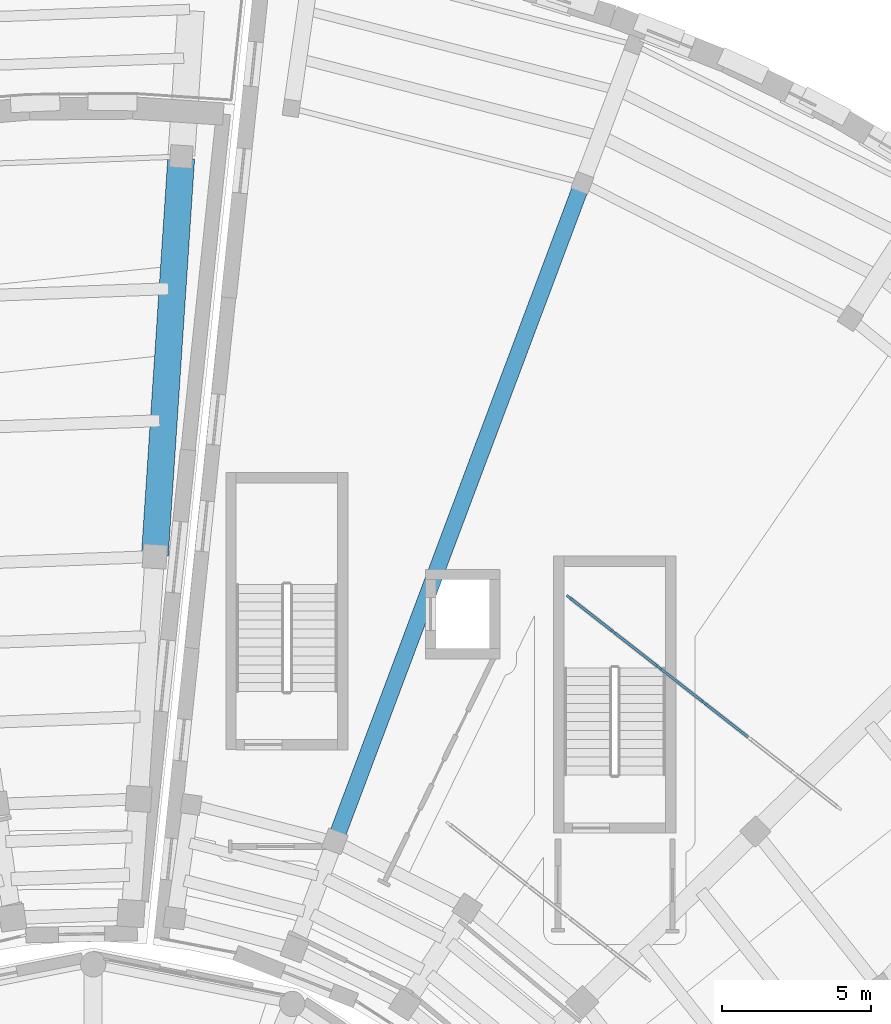
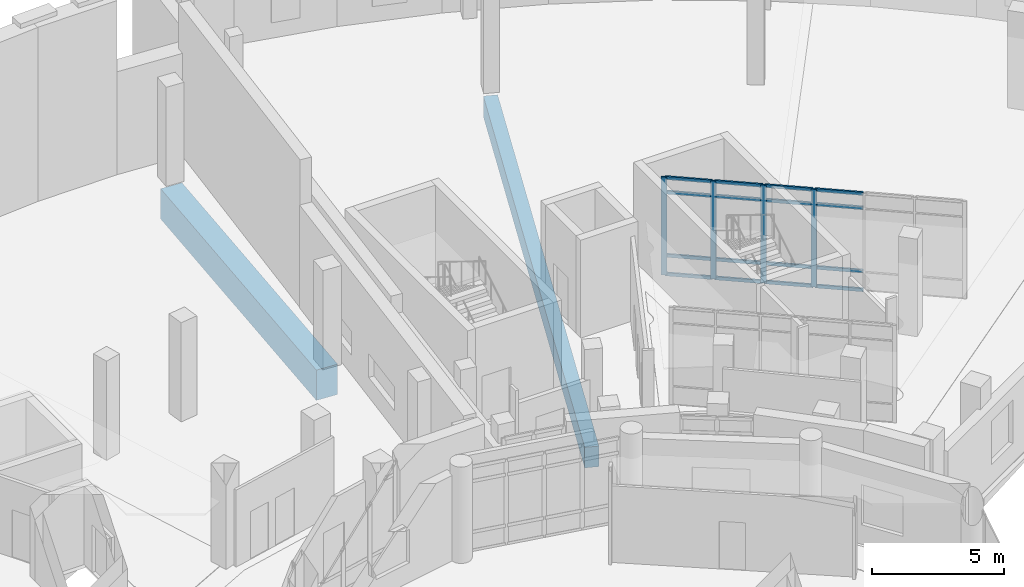
# One storey, part 18 of 49: 20 members, 2 beams, 1 element without a shape of its own.
"""IFC4 building model written with IfcOpenShell, lengths in metres."""

from ifc_helpers import new_model, si_unit, direction, frame, origin, origin_2d, place, context, subcontext, project, spatial, rectangle, extrude, material, material_profile, profile_set, type_object, element, aggregate, save


model = new_model("IFC4")

# Units and contexts
model_context = context("Model", 3, precision=1e-05, world=origin(), true_north=direction((0.0, 1.0)))
body_context = subcontext(model_context, "Body", "Model", "MODEL_VIEW")
ifc_project = project(units=[si_unit("LENGTHUNIT", "METRE"), si_unit("AREAUNIT", "SQUARE_METRE"), si_unit("VOLUMEUNIT", "CUBIC_METRE"), si_unit("PLANEANGLEUNIT", "RADIAN"), si_unit("MASSUNIT", "GRAM", prefix="KILO")], contexts=[model_context])

# Site, building, storey
site_placement = place(None, origin())
site = spatial("IfcSite", under=ifc_project, at=site_placement, CompositionType="ELEMENT")
building_placement = place(site_placement, origin())
building = spatial("IfcBuilding", under=site, at=building_placement, Name="Soyqirgoq Riverine Aquarium", CompositionType="ELEMENT")
storey_placement = place(building_placement, frame((0.0, 0.0, 15.0)))
storey = spatial("IfcBuildingStorey", under=building, at=storey_placement, Name="L04", CompositionType="ELEMENT", Elevation=15.0)

# Curtain wall, members
ifc_material_1 = material(Name="Cast polymethyl methacrylate PMMA Habitat Viewing Glazing", Category="glass")
curtain_wall_type = type_object("IfcCurtainWallType", Name="CW_Interior_TankVitrine", PredefinedType="NOTDEFINED", material=ifc_material_1)
curtain_wall_placement = place(storey_placement, origin())
curtain_wall = element("IfcCurtainWall", 1, at=curtain_wall_placement, inside=storey, type_object=curtain_wall_type, Name="V5 L04 Curtain Wall 164", PredefinedType="NOTDEFINED")
ifc_material_2 = material(Name="Anodised aluminium 6063-T6", Category="aluminium")
ifc_material_profile_1 = material_profile(ifc_material_2, rectangle(XDim=0.080078125, YDim=0.219970703125, at=origin_2d()), Name="ALU-M 80x220")
ifc_profile_set_1 = profile_set([ifc_material_profile_1], Name="Anodised aluminium 6063-T6")
member_type_1 = type_object("IfcMemberType", Name="CWMullion_80x220", PredefinedType="MULLION", material=ifc_profile_set_1)
member_1_placement = place(storey_placement, frame((76.4931640625, 83.22998046875, 0.0), z_axis=(0.0, 0.0, 1.0), x_axis=(-0.615655141832, -0.788015701833, 0.0)))
member_1 = element("IfcMember", 2, at=member_1_placement, type_object=member_type_1, Name="CW-07 mullion 4", PredefinedType="MULLION", context=body_context, shape_type="SweptSolid", body=[
    extrude(rectangle(XDim=0.080078125, YDim=0.219970703125, at=origin_2d()), origin(), (0.0, 0.0, 1.0), 4.52001953125),
])
member_2_placement = place(storey_placement, frame((74.977783203125, 84.4140625, 0.0), z_axis=(0.0, 0.0, 1.0), x_axis=(-0.615655141832, -0.788015701833, 0.0)))
member_2 = element("IfcMember", 3, at=member_2_placement, type_object=member_type_1, Name="CW-07 mullion 5", PredefinedType="MULLION", context=body_context, shape_type="SweptSolid", body=[
    extrude(rectangle(XDim=0.080078125, YDim=0.219970703125, at=origin_2d()), origin(), (0.0, 0.0, 1.0), 4.52001953125),
])
member_3_placement = place(storey_placement, frame((73.46240234375, 85.59814453125, 0.0), z_axis=(0.0, 0.0, 1.0), x_axis=(-0.615655141832, -0.788015701833, 0.0)))
member_3 = element("IfcMember", 4, at=member_3_placement, type_object=member_type_1, Name="CW-07 mullion 6", PredefinedType="MULLION", context=body_context, shape_type="SweptSolid", body=[
    extrude(rectangle(XDim=0.080078125, YDim=0.219970703125, at=origin_2d()), origin(), (0.0, 0.0, 1.0), 4.52001953125),
])
member_4_placement = place(storey_placement, frame((71.978515625, 86.75732421875, 0.0), z_axis=(0.0, 0.0, 1.0), x_axis=(-0.615655141832, -0.788015701833, 0.0)))
member_4 = element("IfcMember", 5, at=member_4_placement, type_object=member_type_1, Name="CW-07 mullion 7", PredefinedType="MULLION", context=body_context, shape_type="SweptSolid", body=[
    extrude(rectangle(XDim=0.080078125, YDim=0.219970703125, at=origin_2d()), origin(), (0.0, 0.0, 1.0), 4.52001953125),
])
ifc_material_3 = material(Name="Anodised aluminium 6063-T6", Category="aluminium")
ifc_material_profile_2 = material_profile(ifc_material_3, rectangle(XDim=0.074951171875, YDim=0.14990234375, at=origin_2d()), Name="ALU-T 75x150")
ifc_profile_set_2 = profile_set([ifc_material_profile_2], Name="Anodised aluminium 6063-T6")
member_type_2 = type_object("IfcMemberType", Name="CWTransom_75x150", PredefinedType="USERDEFINED", material=ifc_profile_set_2)
member_5_placement = place(storey_placement, frame((77.97705078125, 82.07080078125, 0.03759765625), z_axis=(-0.788002283226, 0.615672316765, 0.0), x_axis=(-0.615672316765, -0.788002283226, 0.0)))
member_5 = element("IfcMember", 6, at=member_5_placement, type_object=member_type_2, Name="CW-07 transom 3.1", ObjectType="TRANSOM", PredefinedType="USERDEFINED", context=body_context, shape_type="SweptSolid", body=[
    extrude(rectangle(XDim=0.074951171875, YDim=0.14990234375, at=origin_2d()), origin(), (0.0, 0.0, 1.0), 1.843017578125),
])
member_6_placement = place(storey_placement, frame((77.97705078125, 82.07080078125, 0.89990234375), z_axis=(-0.788002283226, 0.615672316765, 0.0), x_axis=(-0.615672316765, -0.788002283226, 0.0)))
member_6 = element("IfcMember", 7, at=member_6_placement, type_object=member_type_2, Name="CW-07 transom 3.2", ObjectType="TRANSOM", PredefinedType="USERDEFINED", context=body_context, shape_type="SweptSolid", body=[
    extrude(rectangle(XDim=0.074951171875, YDim=0.14990234375, at=origin_2d()), origin(), (0.0, 0.0, 1.0), 1.843017578125),
])
member_7_placement = place(storey_placement, frame((77.97705078125, 82.07080078125, 3.820068359375), z_axis=(-0.788002283226, 0.615672316765, 0.0), x_axis=(-0.615672316765, -0.788002283226, 0.0)))
member_7 = element("IfcMember", 8, at=member_7_placement, type_object=member_type_2, Name="CW-07 transom 3.3", ObjectType="TRANSOM", PredefinedType="USERDEFINED", context=body_context, shape_type="SweptSolid", body=[
    extrude(rectangle(XDim=0.074951171875, YDim=0.14990234375, at=origin_2d()), origin(), (0.0, 0.0, 1.0), 1.843017578125),
])
member_8_placement = place(storey_placement, frame((77.97705078125, 82.07080078125, 4.482421875), z_axis=(-0.788002283226, 0.615672316765, 0.0), x_axis=(-0.615672316765, -0.788002283226, 0.0)))
member_8 = element("IfcMember", 9, at=member_8_placement, type_object=member_type_2, Name="CW-07 transom 3.4", ObjectType="TRANSOM", PredefinedType="USERDEFINED", context=body_context, shape_type="SweptSolid", body=[
    extrude(rectangle(XDim=0.074951171875, YDim=0.14990234375, at=origin_2d()), origin(), (0.0, 0.0, 1.0), 1.843017578125),
])
member_9_placement = place(storey_placement, frame((76.461669921875, 83.254638671875, 0.03759765625), z_axis=(-0.788002283226, 0.615672316765, 0.0), x_axis=(-0.615672316765, -0.788002283226, 0.0)))
member_9 = element("IfcMember", 10, at=member_9_placement, type_object=member_type_2, Name="CW-07 transom 4.1", ObjectType="TRANSOM", PredefinedType="USERDEFINED", context=body_context, shape_type="SweptSolid", body=[
    extrude(rectangle(XDim=0.074951171875, YDim=0.14990234375, at=origin_2d()), origin(), (0.0, 0.0, 1.0), 1.843017578125),
])
member_10_placement = place(storey_placement, frame((76.461669921875, 83.254638671875, 0.89990234375), z_axis=(-0.788002283226, 0.615672316765, 0.0), x_axis=(-0.615672316765, -0.788002283226, 0.0)))
member_10 = element("IfcMember", 11, at=member_10_placement, type_object=member_type_2, Name="CW-07 transom 4.2", ObjectType="TRANSOM", PredefinedType="USERDEFINED", context=body_context, shape_type="SweptSolid", body=[
    extrude(rectangle(XDim=0.074951171875, YDim=0.14990234375, at=origin_2d()), origin(), (0.0, 0.0, 1.0), 1.843017578125),
])
member_11_placement = place(storey_placement, frame((76.461669921875, 83.254638671875, 3.820068359375), z_axis=(-0.788002283226, 0.615672316765, 0.0), x_axis=(-0.615672316765, -0.788002283226, 0.0)))
member_11 = element("IfcMember", 12, at=member_11_placement, type_object=member_type_2, Name="CW-07 transom 4.3", ObjectType="TRANSOM", PredefinedType="USERDEFINED", context=body_context, shape_type="SweptSolid", body=[
    extrude(rectangle(XDim=0.074951171875, YDim=0.14990234375, at=origin_2d()), origin(), (0.0, 0.0, 1.0), 1.843017578125),
])
member_12_placement = place(storey_placement, frame((76.461669921875, 83.254638671875, 4.482421875), z_axis=(-0.788002283226, 0.615672316765, 0.0), x_axis=(-0.615672316765, -0.788002283226, 0.0)))
member_12 = element("IfcMember", 13, at=member_12_placement, type_object=member_type_2, Name="CW-07 transom 4.4", ObjectType="TRANSOM", PredefinedType="USERDEFINED", context=body_context, shape_type="SweptSolid", body=[
    extrude(rectangle(XDim=0.074951171875, YDim=0.14990234375, at=origin_2d()), origin(), (0.0, 0.0, 1.0), 1.843017578125),
])
member_13_placement = place(storey_placement, frame((74.9462890625, 84.438720703125, 0.03759765625), z_axis=(-0.788002283226, 0.615672316765, 0.0), x_axis=(-0.615672316765, -0.788002283226, 0.0)))
member_13 = element("IfcMember", 14, at=member_13_placement, type_object=member_type_2, Name="CW-07 transom 5.1", ObjectType="TRANSOM", PredefinedType="USERDEFINED", context=body_context, shape_type="SweptSolid", body=[
    extrude(rectangle(XDim=0.074951171875, YDim=0.14990234375, at=origin_2d()), origin(), (0.0, 0.0, 1.0), 1.843017578125),
])
member_14_placement = place(storey_placement, frame((74.9462890625, 84.438720703125, 0.89990234375), z_axis=(-0.788002283226, 0.615672316765, 0.0), x_axis=(-0.615672316765, -0.788002283226, 0.0)))
member_14 = element("IfcMember", 15, at=member_14_placement, type_object=member_type_2, Name="CW-07 transom 5.2", ObjectType="TRANSOM", PredefinedType="USERDEFINED", context=body_context, shape_type="SweptSolid", body=[
    extrude(rectangle(XDim=0.074951171875, YDim=0.14990234375, at=origin_2d()), origin(), (0.0, 0.0, 1.0), 1.843017578125),
])
member_15_placement = place(storey_placement, frame((74.9462890625, 84.438720703125, 3.820068359375), z_axis=(-0.788002283226, 0.615672316765, 0.0), x_axis=(-0.615672316765, -0.788002283226, 0.0)))
member_15 = element("IfcMember", 16, at=member_15_placement, type_object=member_type_2, Name="CW-07 transom 5.3", ObjectType="TRANSOM", PredefinedType="USERDEFINED", context=body_context, shape_type="SweptSolid", body=[
    extrude(rectangle(XDim=0.074951171875, YDim=0.14990234375, at=origin_2d()), origin(), (0.0, 0.0, 1.0), 1.843017578125),
])
member_16_placement = place(storey_placement, frame((74.9462890625, 84.438720703125, 4.482421875), z_axis=(-0.788002283226, 0.615672316765, 0.0), x_axis=(-0.615672316765, -0.788002283226, 0.0)))
member_16 = element("IfcMember", 17, at=member_16_placement, type_object=member_type_2, Name="CW-07 transom 5.4", ObjectType="TRANSOM", PredefinedType="USERDEFINED", context=body_context, shape_type="SweptSolid", body=[
    extrude(rectangle(XDim=0.074951171875, YDim=0.14990234375, at=origin_2d()), origin(), (0.0, 0.0, 1.0), 1.843017578125),
])
member_17_placement = place(storey_placement, frame((73.430908203125, 85.62255859375, 0.03759765625), z_axis=(-0.788016162741, 0.615654551887, 0.0), x_axis=(-0.615654551887, -0.788016162741, 0.0)))
member_17 = element("IfcMember", 18, at=member_17_placement, type_object=member_type_2, Name="CW-07 transom 6.1", ObjectType="TRANSOM", PredefinedType="USERDEFINED", context=body_context, shape_type="SweptSolid", body=[
    extrude(rectangle(XDim=0.074951171875, YDim=0.14990234375, at=origin_2d()), origin(), (0.0, 0.0, 1.0), 1.80322265625),
])
member_18_placement = place(storey_placement, frame((73.430908203125, 85.62255859375, 0.89990234375), z_axis=(-0.788016162741, 0.615654551887, 0.0), x_axis=(-0.615654551887, -0.788016162741, 0.0)))
member_18 = element("IfcMember", 19, at=member_18_placement, type_object=member_type_2, Name="CW-07 transom 6.2", ObjectType="TRANSOM", PredefinedType="USERDEFINED", context=body_context, shape_type="SweptSolid", body=[
    extrude(rectangle(XDim=0.074951171875, YDim=0.14990234375, at=origin_2d()), origin(), (0.0, 0.0, 1.0), 1.80322265625),
])
member_19_placement = place(storey_placement, frame((73.430908203125, 85.62255859375, 3.820068359375), z_axis=(-0.788016162741, 0.615654551887, 0.0), x_axis=(-0.615654551887, -0.788016162741, 0.0)))
member_19 = element("IfcMember", 20, at=member_19_placement, type_object=member_type_2, Name="CW-07 transom 6.3", ObjectType="TRANSOM", PredefinedType="USERDEFINED", context=body_context, shape_type="SweptSolid", body=[
    extrude(rectangle(XDim=0.074951171875, YDim=0.14990234375, at=origin_2d()), origin(), (0.0, 0.0, 1.0), 1.80322265625),
])
member_20_placement = place(storey_placement, frame((73.430908203125, 85.62255859375, 4.482421875), z_axis=(-0.788016162741, 0.615654551887, 0.0), x_axis=(-0.615654551887, -0.788016162741, 0.0)))
member_20 = element("IfcMember", 21, at=member_20_placement, type_object=member_type_2, Name="CW-07 transom 6.4", ObjectType="TRANSOM", PredefinedType="USERDEFINED", context=body_context, shape_type="SweptSolid", body=[
    extrude(rectangle(XDim=0.074951171875, YDim=0.14990234375, at=origin_2d()), origin(), (0.0, 0.0, 1.0), 1.80322265625),
])
aggregate(curtain_wall, [member_1, member_2, member_3, member_4, member_5, member_6, member_7, member_8, member_9, member_10, member_11, member_12, member_13, member_14, member_15, member_16, member_17, member_18, member_19, member_20])

# Beams
ifc_material_4 = material(Name="Concrete C40/50", Category="concrete")
ifc_material_profile_3 = material_profile(ifc_material_4, rectangle(XDim=0.550048828125, YDim=0.949951171875, at=origin_2d()), Name="RC 550x950")
ifc_profile_set_3 = profile_set([ifc_material_profile_3], Name="Concrete C40/50")
beam_type_1 = type_object("IfcBeamType", Name="Girder_RC_550x950", PredefinedType="BEAM", material=ifc_profile_set_3)
beam_1_placement = place(storey_placement, frame((64.12744140625, 78.623046875, -0.7548828125), z_axis=(0.351844020592, 0.936058644089, 0.0), x_axis=(-0.936058644089, 0.351844020592, 0.0)))
element("IfcBeam", 22, at=beam_1_placement, inside=storey, type_object=beam_type_1, Name="V5 L04 Wedge Radial Girder 0913", PredefinedType="BEAM", context=body_context, shape_type="SweptSolid", body=[
    extrude(rectangle(XDim=0.550048828125, YDim=0.949951171875, at=origin_2d()), origin(), (0.0, 0.0, 1.0), 23.5),
])
ifc_material_5 = material(Name="Waterproof concrete C45/55", Category="concrete")
ifc_material_profile_4 = material_profile(ifc_material_5, rectangle(XDim=0.89990234375, YDim=1.39990234375, at=origin_2d()), Name="RC 900x1400")
ifc_profile_set_4 = profile_set([ifc_material_profile_4], Name="Waterproof concrete C45/55")
beam_type_2 = type_object("IfcBeamType", Name="TransferGirder_900x1400", PredefinedType="BEAM", material=ifc_profile_set_4)
beam_2_placement = place(storey_placement, frame((58.071044921875, 88.181396484375, -0.97998046875), z_axis=(0.066275036156, 0.997801392855, 0.0), x_axis=(-0.997801392855, 0.066275036156, 0.0)))
element("IfcBeam", 23, at=beam_2_placement, inside=storey, type_object=beam_type_2, Name="V4 L04 Wedge Radial Girder 0678", PredefinedType="BEAM", context=body_context, shape_type="SweptSolid", body=[
    extrude(rectangle(XDim=0.89990234375, YDim=1.39990234375, at=origin_2d()), origin(), (0.0, 0.0, 1.0), 13.349853515625),
])

save(model, "model.ifc")
